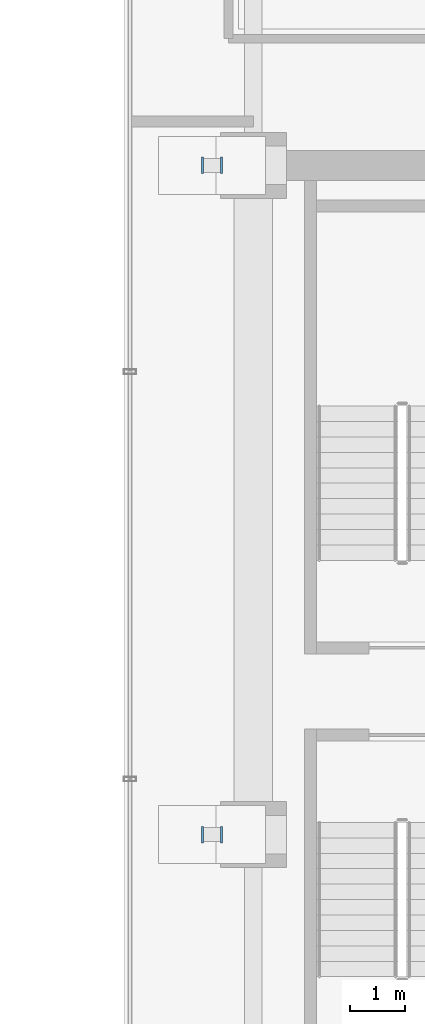
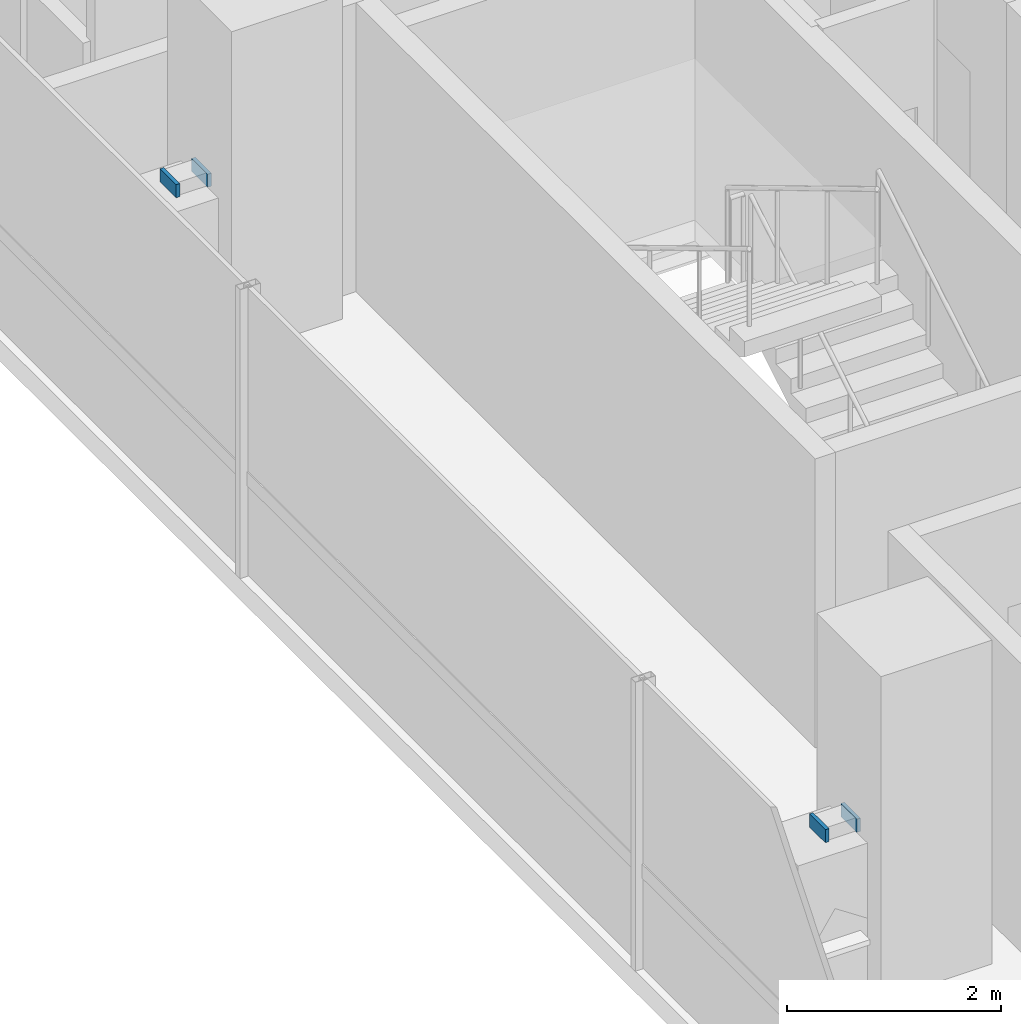
# One storey, part 26 of 35: 4 plates.
"""IFC4 building model written with IfcOpenShell, lengths in metres."""

from ifc_helpers import new_model, si_unit, direction, frame, origin, origin_2d, place, context, subcontext, project, spatial, rectangle, extrude, source, transform, mapped, material, layer, layer_set, type_object, element, save


model = new_model("IFC4")

# Units and contexts
model_context = context("Model", 3, precision=1e-05, world=origin(), true_north=direction((0.0, 1.0)))
body_context = subcontext(model_context, "Body", "Model", "MODEL_VIEW")
ifc_project = project(units=[si_unit("LENGTHUNIT", "METRE"), si_unit("AREAUNIT", "SQUARE_METRE"), si_unit("VOLUMEUNIT", "CUBIC_METRE"), si_unit("PLANEANGLEUNIT", "RADIAN"), si_unit("MASSUNIT", "GRAM", prefix="KILO")], contexts=[model_context])

# Site, building, storey
site_placement = place(None, origin())
site = spatial("IfcSite", under=ifc_project, at=site_placement, CompositionType="ELEMENT")
building_placement = place(site_placement, origin())
building = spatial("IfcBuilding", under=site, at=building_placement, Name="Valdorenza Pilgrim Sanctuary Tower", CompositionType="ELEMENT")
storey_placement = place(building_placement, frame((0.0, 0.0, 168.60009765625)))
storey = spatial("IfcBuildingStorey", under=building, at=storey_placement, Name="L43", CompositionType="ELEMENT", Elevation=168.60009765625)

# Plates
ifc_material = material(Name="Steel ASTM A572 Grade 42", Category="steel")
ifc_layer = layer(ifc_material, 0.06005859375, Name="Steel ASTM A572 Grade 42")
ifc_layer_set = layer_set([ifc_layer], Name="Steel ASTM A572 Grade 42")
plate_type = type_object("IfcPlateType", Name="PLT-CAP-60", PredefinedType="SHEET", material=ifc_layer_set)
shared_shape = source(origin(), body_context, "Body", "SweptSolid", [
    extrude(rectangle(XDim=0.0400390625, YDim=0.300048828125, at=origin_2d()), origin(), (0.0, 0.0, 1.0), 0.14990234375),
])
for number, where, z_axis, x_axis, name in (
    (1, (14.929931640625, 9.550048828125, 1.64990234375), (0.0, 0.0, 1.0), (1.0, 0.0, 0.0), "Portal Bridge Bearing PB-BRG1 #1 End Plate 1"),
    (2, (15.27001953125, 9.550048828125, 1.64990234375), (0.0, 0.0, 1.0), (1.0, 0.0, 0.0), "Portal Bridge Bearing PB-BRG1 #1 End Plate 2"),
    (3, (14.929931640625, -2.60009765625, 1.64990234375), (0.0, 0.0, 1.0), (1.0, 0.0, 0.0), "Portal Bridge Bearing PB-BRG1 #2 End Plate 1"),
    (4, (15.27001953125, -2.60009765625, 1.64990234375), (0.0, 0.0, 1.0), (1.0, 0.0, 0.0), "Portal Bridge Bearing PB-BRG1 #2 End Plate 2"),
):
    element("IfcPlate", number, at=place(storey_placement, frame(where, z_axis=z_axis, x_axis=x_axis)), inside=storey, type_object=plate_type, Name=name, PredefinedType="SHEET", context=body_context, shape_type="MappedRepresentation", body=[
        mapped(shared_shape, transform((0.0, 0.0, 0.0), x_axis=(1.0, 0.0, 0.0), y_axis=(0.0, 1.0, 0.0), z_axis=(0.0, 0.0, 1.0), scale=1.0)),
    ])

save(model, "model.ifc")
